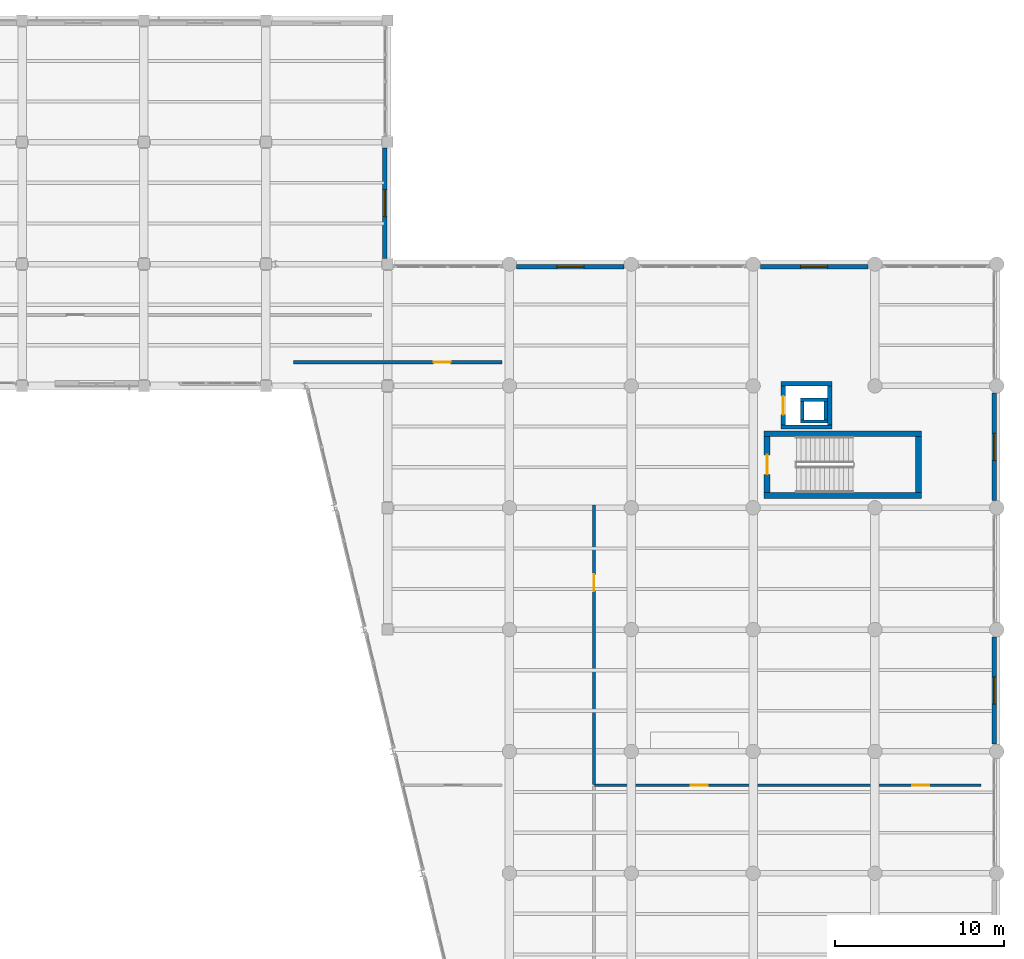
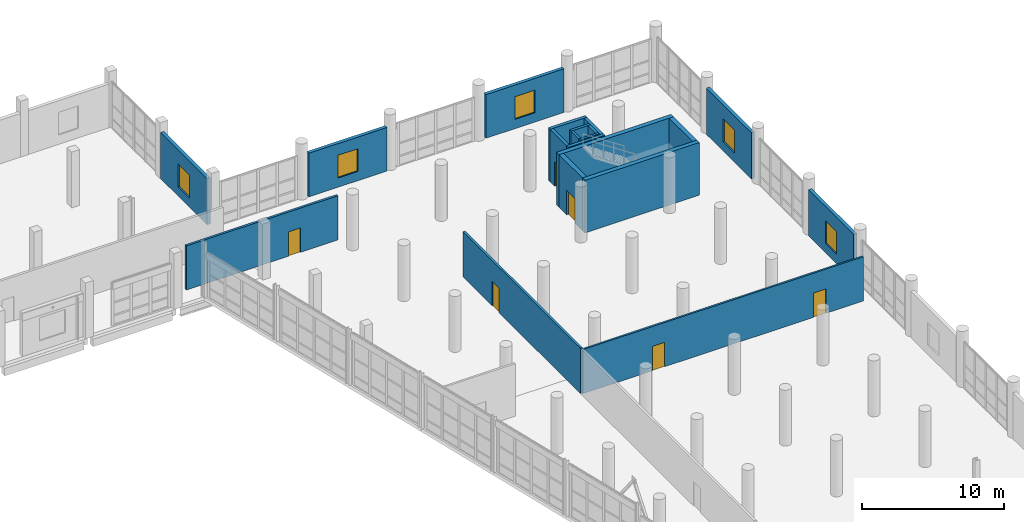
# One storey, part 101 of 127: 20 walls, 6 doors, 5 windows, 11 openings.
"""IFC4 building model written with IfcOpenShell, lengths in metres."""

from ifc_helpers import new_model, si_unit, direction, frame, frame_2d, origin, place, context, subcontext, project, spatial, rectangle, extrude, material, layer, layer_set, type_object, element, fill, save


model = new_model("IFC4")

# Units and contexts
model_context = context("Model", 3, precision=1e-05, world=origin(), true_north=direction((0.0, 1.0)))
body_context = subcontext(model_context, "Body", "Model", "MODEL_VIEW")
ifc_project = project(units=[si_unit("LENGTHUNIT", "METRE"), si_unit("AREAUNIT", "SQUARE_METRE"), si_unit("VOLUMEUNIT", "CUBIC_METRE"), si_unit("PLANEANGLEUNIT", "RADIAN"), si_unit("MASSUNIT", "GRAM", prefix="KILO")], contexts=[model_context])

# Site, building, storey
site_placement = place(None, origin())
site = spatial("IfcSite", under=ifc_project, at=site_placement, CompositionType="ELEMENT")
building_placement = place(site_placement, origin())
building = spatial("IfcBuilding", under=site, at=building_placement, Name="Kalmorath City Hall", CompositionType="ELEMENT")
storey_placement = place(building_placement, frame((0.0, 0.0, 5.39990234375)))
storey = spatial("IfcBuildingStorey", under=building, at=storey_placement, Name="L01", CompositionType="ELEMENT", Elevation=5.39990234375)

# Walls
ifc_material_1 = material(Name="Concrete C50/60", Category="concrete")
ifc_layer_1 = layer(ifc_material_1, 0.35009765625)
ifc_layer_set_1 = layer_set([ifc_layer_1], Name="Concrete C50/60")
wall_type_1 = type_object("IfcWallType", Name="Concrete core shear wall 350", PredefinedType="SHEAR", material=ifc_layer_set_1)
for number, where, z_axis, x_axis, name in (
    (1, (151.85009765625, 87.125, 0.0), (0.0, 0.0, 1.0), (1.0, 0.0, 0.0), "L01 C6 stair core shear wall S"),
    (2, (161.14990234375, 90.77490234375, 0.0), (0.0, 0.0, 1.0), (-1.0, 0.0, 0.0), "L01 C6 stair core shear wall N"),
):
    element("IfcWall", number, at=place(storey_placement, frame(where, z_axis=z_axis, x_axis=x_axis)), inside=storey, type_object=wall_type_1, Name=name, PredefinedType="SHEAR", context=body_context, shape_type="SweptSolid", body=[
        extrude(rectangle(XDim=9.2998046875, YDim=0.35009765625, at=frame_2d((4.64990234375, 0.0))), origin(), (0.0, 0.0, 1.0), 4.52001953125),
    ])

# Wall, opening, door
wall_1_placement = place(storey_placement, frame((152.02490234375, 90.60009765625, 0.0), z_axis=(0.0, 0.0, 1.0), x_axis=(0.0, -1.0, 0.0)))
wall_1 = element("IfcWall", 3, at=wall_1_placement, inside=storey, type_object=wall_type_1, Name="L01 C6 stair core shear wall W", PredefinedType="SHEAR", context=body_context, shape_type="SweptSolid", body=[
    extrude(rectangle(XDim=3.300048828125, YDim=0.35009765625, at=frame_2d((1.64990234375, 0.0))), origin(), (0.0, 0.0, 1.0), 4.52001953125),
])
opening_1_placement = place(wall_1_placement, frame((1.074951171875, 0.0, 0.0)))
opening_1 = element("IfcOpeningElement", 4, at=opening_1_placement, cuts=wall_1, Name="Opening D-L01-099", PredefinedType="OPENING", context=body_context, shape_type="SweptSolid", body=[
    extrude(rectangle(XDim=1.14990234375, YDim=2.10009765625, at=frame_2d((0.574951171875, 1.050048828125))), frame((0.0, 0.18505859375, 0.0), z_axis=(0.0, -1.0, 0.0), x_axis=(1.0, 0.0, 0.0)), (0.0, 0.0, 1.0), 0.3701171875),
])
ifc_material_2 = material(Name="Galvanised steel fire door", Category="steel")
door_type_1 = type_object("IfcDoorType", Name="Stair enclosure 90-min fire door 1150x2100", OperationType="NOTDEFINED", PredefinedType="DOOR", material=ifc_material_2)
door_1_placement = place(opening_1_placement, frame((1.14990234375, 0.0, 0.0), z_axis=(0.0, 0.0, 1.0), x_axis=(-1.0, 0.0, 0.0)))
door_1 = element("IfcDoor", 5, at=door_1_placement, inside=storey, type_object=door_type_1, Name="L01 door D-L01-099", OperationType="SINGLE_SWING_LEFT", OverallHeight=2.10009765625, OverallWidth=1.14990234375, PredefinedType="DOOR", context=body_context, shape_type="SweptSolid", body=[
    extrude(rectangle(XDim=1.14990234375, YDim=2.10009765625, at=frame_2d((0.574951171875, 1.050048828125))), frame((0.0, 0.02490234375, 0.0), z_axis=(0.0, -1.0, 0.0), x_axis=(1.0, 0.0, 0.0)), (0.0, 0.0, 1.0), 0.050048828125),
])
fill(opening_1, door_1)

# Walls
wall_2_placement = place(storey_placement, frame((160.97509765625, 87.300048828125, 0.0), z_axis=(0.0, 0.0, 1.0), x_axis=(0.0, 1.0, 0.0)))
element("IfcWall", 6, at=wall_2_placement, inside=storey, type_object=wall_type_1, Name="L01 C6 stair core shear wall E", PredefinedType="SHEAR", context=body_context, shape_type="SweptSolid", body=[
    extrude(rectangle(XDim=3.300048828125, YDim=0.35009765625, at=frame_2d((1.64990234375, 0.0))), origin(), (0.0, 0.0, 1.0), 4.52001953125),
])
ifc_material_3 = material(Name="Concrete C50/60", Category="concrete")
ifc_layer_2 = layer(ifc_material_3, 0.25)
ifc_layer_set_2 = layer_set([ifc_layer_2], Name="Concrete C50/60")
wall_type_2 = type_object("IfcWallType", Name="Concrete lift shaft wall 250", PredefinedType="SHEAR", material=ifc_layer_set_2)
for number, where, z_axis, x_axis, name in (
    (7, (152.85009765625, 91.175048828125, 0.0), (0.0, 0.0, 1.0), (1.0, 0.0, 0.0), "L01 PL6 lift shaft wall -y"),
    (8, (155.85009765625, 93.72509765625, 0.0), (0.0, 0.0, 1.0), (-1.0, 0.0, 0.0), "L01 PL6 lift shaft wall +y"),
):
    element("IfcWall", number, at=place(storey_placement, frame(where, z_axis=z_axis, x_axis=x_axis)), inside=storey, type_object=wall_type_2, Name=name, PredefinedType="SHEAR", context=body_context, shape_type="SweptSolid", body=[
        extrude(rectangle(XDim=3.0, YDim=0.25, at=frame_2d((1.5, 0.0))), origin(), (0.0, 0.0, 1.0), 4.52001953125),
    ])

# Wall, opening, door
wall_3_placement = place(storey_placement, frame((152.97509765625, 93.60009765625, 0.0), z_axis=(0.0, 0.0, 1.0), x_axis=(0.0, -1.0, 0.0)))
wall_3 = element("IfcWall", 9, at=wall_3_placement, inside=storey, type_object=wall_type_2, Name="L01 PL6 lift shaft wall -x", PredefinedType="SHEAR", context=body_context, shape_type="SweptSolid", body=[
    extrude(rectangle(XDim=2.300048828125, YDim=0.25, at=frame_2d((1.14990234375, 0.0))), origin(), (0.0, 0.0, 1.0), 4.52001953125),
])
opening_2_placement = place(wall_3_placement, frame((0.60009765625, 0.0, 0.0)))
opening_2 = element("IfcOpeningElement", 10, at=opening_2_placement, cuts=wall_3, Name="Opening LD-102", PredefinedType="OPENING", context=body_context, shape_type="SweptSolid", body=[
    extrude(rectangle(XDim=1.10009765625, YDim=2.10009765625, at=frame_2d((0.550048828125, 1.050048828125))), frame((0.0, 0.135009765625, 0.0), z_axis=(0.0, -1.0, 0.0), x_axis=(1.0, 0.0, 0.0)), (0.0, 0.0, 1.0), 0.27001953125),
])
ifc_material_4 = material(Name="Stainless steel sliding landing door", Category="steel")
door_type_2 = type_object("IfcDoorType", Name="Passenger lift sliding landing door 1100x2100", OperationType="SLIDING_TO_LEFT", PredefinedType="DOOR", material=ifc_material_4)
door_2_placement = place(opening_2_placement, origin())
door_2 = element("IfcDoor", 11, at=door_2_placement, inside=storey, type_object=door_type_2, Name="L01 door LD-102", OperationType="SLIDING_TO_LEFT", OverallHeight=2.10009765625, OverallWidth=1.10009765625, PredefinedType="DOOR", context=body_context, shape_type="SweptSolid", body=[
    extrude(rectangle(XDim=1.10009765625, YDim=2.10009765625, at=frame_2d((0.550048828125, 1.050048828125))), frame((0.0, 0.02490234375, 0.0), z_axis=(0.0, -1.0, 0.0), x_axis=(1.0, 0.0, 0.0)), (0.0, 0.0, 1.0), 0.050048828125),
])
fill(opening_2, door_2)

# Walls
wall_4_placement = place(storey_placement, frame((155.72509765625, 91.300048828125, 0.0), z_axis=(0.0, 0.0, 1.0), x_axis=(0.0, 1.0, 0.0)))
element("IfcWall", 12, at=wall_4_placement, inside=storey, type_object=wall_type_2, Name="L01 PL6 lift shaft wall +x", PredefinedType="SHEAR", context=body_context, shape_type="SweptSolid", body=[
    extrude(rectangle(XDim=2.300048828125, YDim=0.25, at=frame_2d((1.14990234375, 0.0))), origin(), (0.0, 0.0, 1.0), 4.52001953125),
])
ifc_material_5 = material(Name="Concrete C40/50", Category="concrete")
ifc_layer_3 = layer(ifc_material_5, 0.199951171875)
ifc_layer_set_3 = layer_set([ifc_layer_3], Name="Concrete C40/50")
wall_type_3 = type_object("IfcWallType", Name="Concrete service riser wall 200", PredefinedType="SOLIDWALL", material=ifc_layer_set_3)
for number, where, z_axis, x_axis, name in (
    (13, (154.0, 91.5, 0.0), (0.0, 0.0, 1.0), (1.0, 0.0, 0.0), "L01 RSR-5 riser shaft wall S"),
    (14, (155.60009765625, 92.780029296875, 0.0), (0.0, 0.0, 1.0), (-1.0, 0.0, 0.0), "L01 RSR-5 riser shaft wall N"),
):
    element("IfcWall", number, at=place(storey_placement, frame(where, z_axis=z_axis, x_axis=x_axis)), inside=storey, type_object=wall_type_3, Name=name, PredefinedType="SOLIDWALL", context=body_context, shape_type="SweptSolid", body=[
        extrude(rectangle(XDim=1.60009765625, YDim=0.199951171875, at=frame_2d((0.800048828125, 0.0))), origin(), (0.0, 0.0, 1.0), 4.52001953125),
    ])
for number, where, z_axis, x_axis, name in (
    (15, (154.10009765625, 92.679931640625, 0.0), (0.0, 0.0, 1.0), (0.0, -1.0, 0.0), "L01 RSR-5 riser shaft wall W"),
    (16, (155.5, 91.60009765625, 0.0), (0.0, 0.0, 1.0), (0.0, 1.0, 0.0), "L01 RSR-5 riser shaft wall E"),
):
    element("IfcWall", number, at=place(storey_placement, frame(where, z_axis=z_axis, x_axis=x_axis)), inside=storey, type_object=wall_type_3, Name=name, PredefinedType="SOLIDWALL", context=body_context, shape_type="SweptSolid", body=[
        extrude(rectangle(XDim=1.079833984375, YDim=0.199951171875, at=frame_2d((0.5400390625, 0.0))), origin(), (0.0, 0.0, 1.0), 4.52001953125),
    ])

# Wall, openings, doors
ifc_material_6 = material(Name="Acoustic metal-stud gypsum partition")
ifc_layer_4 = layer(ifc_material_6, 0.14990234375)
ifc_layer_set_4 = layer_set([ifc_layer_4], Name="Acoustic metal-stud gypsum partition")
wall_type_4 = type_object("IfcWallType", Name="Departmental suite partition 150", PredefinedType="PARTITIONING", material=ifc_layer_set_4)
wall_5_placement = place(storey_placement, frame((141.840087890625, 70.0, 0.0), z_axis=(0.0, 0.0, 1.0), x_axis=(1.0, 0.0, 0.0)))
wall_5 = element("IfcWall", 17, at=wall_5_placement, inside=storey, type_object=wall_type_4, Name="L01 interior partition PW4 #100", PredefinedType="PARTITIONING", context=body_context, shape_type="SweptSolid", body=[
    extrude(rectangle(XDim=22.81982421875, YDim=0.14990234375, at=frame_2d((11.409912109375, 0.0))), origin(), (0.0, 0.0, 1.0), 3.801025390625),
])
opening_3_placement = place(wall_5_placement, frame((5.6650390625, 0.0, 0.0)))
opening_3 = element("IfcOpeningElement", 18, at=opening_3_placement, cuts=wall_5, Name="Opening D-L01-189", PredefinedType="OPENING", context=body_context, shape_type="SweptSolid", body=[
    extrude(rectangle(XDim=1.0, YDim=2.10009765625, at=frame_2d((0.5, 1.050048828125))), frame((0.0, 0.0849609375, 0.0), z_axis=(0.0, -1.0, 0.0), x_axis=(1.0, 0.0, 0.0)), (0.0, 0.0, 1.0), 0.169921875),
])
opening_4_placement = place(wall_5_placement, frame((18.777587890625, 0.0, 0.0)))
opening_4 = element("IfcOpeningElement", 19, at=opening_4_placement, cuts=wall_5, Name="Opening D-L01-193", PredefinedType="OPENING", context=body_context, shape_type="SweptSolid", body=[
    extrude(rectangle(XDim=1.0, YDim=2.10009765625, at=frame_2d((0.5, 1.050048828125))), frame((0.0, 0.0849609375, 0.0), z_axis=(0.0, -1.0, 0.0), x_axis=(1.0, 0.0, 0.0)), (0.0, 0.0, 1.0), 0.169921875),
])
ifc_material_7 = material(Name="Hardwood fire door", Category="wood")
door_type_3 = type_object("IfcDoorType", Name="Corridor 60-min fire door 1000x2100", OperationType="NOTDEFINED", PredefinedType="DOOR", material=ifc_material_7)
door_3_placement = place(opening_3_placement, origin())
door_3 = element("IfcDoor", 20, at=door_3_placement, inside=storey, type_object=door_type_3, Name="L01 door D-L01-189", OperationType="SINGLE_SWING_LEFT", OverallHeight=2.10009765625, OverallWidth=1.0, PredefinedType="DOOR", context=body_context, shape_type="SweptSolid", body=[
    extrude(rectangle(XDim=1.0, YDim=2.10009765625, at=frame_2d((0.5, 1.050048828125))), frame((0.0, 0.02490234375, 0.0), z_axis=(0.0, -1.0, 0.0), x_axis=(1.0, 0.0, 0.0)), (0.0, 0.0, 1.0), 0.050048828125),
])
fill(opening_3, door_3)
door_4_placement = place(opening_4_placement, origin())
door_4 = element("IfcDoor", 21, at=door_4_placement, inside=storey, type_object=door_type_3, Name="L01 door D-L01-193", OperationType="SINGLE_SWING_LEFT", OverallHeight=2.10009765625, OverallWidth=1.0, PredefinedType="DOOR", context=body_context, shape_type="SweptSolid", body=[
    extrude(rectangle(XDim=1.0, YDim=2.10009765625, at=frame_2d((0.5, 1.050048828125))), frame((0.0, 0.02490234375, 0.0), z_axis=(0.0, -1.0, 0.0), x_axis=(1.0, 0.0, 0.0)), (0.0, 0.0, 1.0), 0.050048828125),
])
fill(opening_4, door_4)

# Wall, opening, window
ifc_material_8 = material(Name="Precast concrete C40/50", Category="concrete")
ifc_layer_5 = layer(ifc_material_8, 0.27001953125)
ifc_layer_set_5 = layer_set([ifc_layer_5], Name="Precast concrete C40/50")
wall_type_5 = type_object("IfcWallType", Name="Library splayed facade wall 270", PredefinedType="SOLIDWALL", material=ifc_layer_set_5)
wall_6_placement = place(storey_placement, frame((129.43994140625, 107.674072265625, 0.0), z_axis=(0.0, 0.0, 1.0), x_axis=(0.0, -1.0, 0.0)))
wall_6 = element("IfcWall", 22, at=wall_6_placement, inside=storey, type_object=wall_type_5, Name="L01 library wall #263", PredefinedType="SOLIDWALL", context=body_context, shape_type="SweptSolid", body=[
    extrude(rectangle(XDim=6.548095703125, YDim=0.27001953125, at=frame_2d((3.27392578125, 0.0))), origin(), (0.0, 0.0, 1.0), 3.97607421875),
])
opening_5_placement = place(wall_6_placement, frame((2.47412109375, 0.0, 0.800048828125)))
opening_5 = element("IfcOpeningElement", 23, at=opening_5_placement, cuts=wall_6, Name="Opening WN15", PredefinedType="OPENING", context=body_context, shape_type="SweptSolid", body=[
    extrude(rectangle(XDim=1.60009765625, YDim=1.949951171875, at=frame_2d((0.800048828125, 0.97509765625))), frame((0.0, 0.14501953125, 0.0), z_axis=(0.0, -1.0, 0.0), x_axis=(1.0, 0.0, 0.0)), (0.0, 0.0, 1.0), 0.2900390625),
])
ifc_material_9 = material(Name="Bronze-anodised aluminium and glass", Category="aluminium")
window_type = type_object("IfcWindowType", Name="Library stacks window 1600x1950", PartitioningType="SINGLE_PANEL", PredefinedType="WINDOW", material=ifc_material_9)
window_1_placement = place(opening_5_placement, origin())
window_1 = element("IfcWindow", 24, at=window_1_placement, inside=storey, type_object=window_type, Name="L01 window WN15-130", OverallHeight=1.949951171875, OverallWidth=1.60009765625, PartitioningType="SINGLE_PANEL", PredefinedType="WINDOW", context=body_context, shape_type="SweptSolid", body=[
    extrude(rectangle(XDim=1.60009765625, YDim=1.949951171875, at=frame_2d((0.800048828125, 0.97509765625))), frame((0.0, 0.030029296875, 0.0), z_axis=(0.0, -1.0, 0.0), x_axis=(1.0, 0.0, 0.0)), (0.0, 0.0, 1.0), 0.06005859375),
])
fill(opening_5, window_1)

wall_7_placement = place(storey_placement, frame((137.22607421875, 100.639892578125, 0.0), z_axis=(0.0, 0.0, 1.0), x_axis=(1.0, 0.0, 0.0)))
wall_7 = element("IfcWall", 25, at=wall_7_placement, inside=storey, type_object=wall_type_5, Name="L01 library wall #264", PredefinedType="SOLIDWALL", context=body_context, shape_type="SweptSolid", body=[
    extrude(rectangle(XDim=6.347900390625, YDim=0.27001953125, at=frame_2d((3.173828125, 0.0))), origin(), (0.0, 0.0, 1.0), 3.7509765625),
])
opening_6_placement = place(wall_7_placement, frame((2.3740234375, 0.0, 0.800048828125)))
opening_6 = element("IfcOpeningElement", 26, at=opening_6_placement, cuts=wall_7, Name="Opening WN15", PredefinedType="OPENING", context=body_context, shape_type="SweptSolid", body=[
    extrude(rectangle(XDim=1.60009765625, YDim=1.949951171875, at=frame_2d((0.800048828125, 0.97509765625))), frame((0.0, 0.14501953125, 0.0), z_axis=(0.0, -1.0, 0.0), x_axis=(1.0, 0.0, 0.0)), (0.0, 0.0, 1.0), 0.2900390625),
])
window_2_placement = place(opening_6_placement, origin())
window_2 = element("IfcWindow", 27, at=window_2_placement, inside=storey, type_object=window_type, Name="L01 window WN15-131", OverallHeight=1.949951171875, OverallWidth=1.60009765625, PartitioningType="SINGLE_PANEL", PredefinedType="WINDOW", context=body_context, shape_type="SweptSolid", body=[
    extrude(rectangle(XDim=1.60009765625, YDim=1.949951171875, at=frame_2d((0.800048828125, 0.97509765625))), frame((0.0, 0.030029296875, 0.0), z_axis=(0.0, -1.0, 0.0), x_axis=(1.0, 0.0, 0.0)), (0.0, 0.0, 1.0), 0.06005859375),
])
fill(opening_6, window_2)

wall_8_placement = place(storey_placement, frame((151.6259765625, 100.639892578125, 0.0), z_axis=(0.0, 0.0, 1.0), x_axis=(1.0, 0.0, 0.0)))
wall_8 = element("IfcWall", 28, at=wall_8_placement, inside=storey, type_object=wall_type_5, Name="L01 library wall #265", PredefinedType="SOLIDWALL", context=body_context, shape_type="SweptSolid", body=[
    extrude(rectangle(XDim=6.34814453125, YDim=0.27001953125, at=frame_2d((3.174072265625, 0.0))), origin(), (0.0, 0.0, 1.0), 3.7509765625),
])
opening_7_placement = place(wall_8_placement, frame((2.3740234375, 0.0, 0.800048828125)))
opening_7 = element("IfcOpeningElement", 29, at=opening_7_placement, cuts=wall_8, Name="Opening WN15", PredefinedType="OPENING", context=body_context, shape_type="SweptSolid", body=[
    extrude(rectangle(XDim=1.60009765625, YDim=1.949951171875, at=frame_2d((0.800048828125, 0.97509765625))), frame((0.0, 0.14501953125, 0.0), z_axis=(0.0, -1.0, 0.0), x_axis=(1.0, 0.0, 0.0)), (0.0, 0.0, 1.0), 0.2900390625),
])
window_3_placement = place(opening_7_placement, origin())
window_3 = element("IfcWindow", 30, at=window_3_placement, inside=storey, type_object=window_type, Name="L01 window WN15-132", OverallHeight=1.949951171875, OverallWidth=1.60009765625, PartitioningType="SINGLE_PANEL", PredefinedType="WINDOW", context=body_context, shape_type="SweptSolid", body=[
    extrude(rectangle(XDim=1.60009765625, YDim=1.949951171875, at=frame_2d((0.800048828125, 0.97509765625))), frame((0.0, 0.030029296875, 0.0), z_axis=(0.0, -1.0, 0.0), x_axis=(1.0, 0.0, 0.0)), (0.0, 0.0, 1.0), 0.06005859375),
])
fill(opening_7, window_3)

wall_9_placement = place(storey_placement, frame((165.43994140625, 93.174072265625, 0.0), z_axis=(0.0, 0.0, 1.0), x_axis=(0.0, -1.0, 0.0)))
wall_9 = element("IfcWall", 31, at=wall_9_placement, inside=storey, type_object=wall_type_5, Name="L01 library wall #266", PredefinedType="SOLIDWALL", context=body_context, shape_type="SweptSolid", body=[
    extrude(rectangle(XDim=6.34814453125, YDim=0.27001953125, at=frame_2d((3.174072265625, 0.0))), origin(), (0.0, 0.0, 1.0), 3.97607421875),
])
opening_8_placement = place(wall_9_placement, frame((2.3740234375, 0.0, 0.800048828125)))
opening_8 = element("IfcOpeningElement", 32, at=opening_8_placement, cuts=wall_9, Name="Opening WN15", PredefinedType="OPENING", context=body_context, shape_type="SweptSolid", body=[
    extrude(rectangle(XDim=1.60009765625, YDim=1.949951171875, at=frame_2d((0.800048828125, 0.97509765625))), frame((0.0, 0.14501953125, 0.0), z_axis=(0.0, -1.0, 0.0), x_axis=(1.0, 0.0, 0.0)), (0.0, 0.0, 1.0), 0.2900390625),
])
window_4_placement = place(opening_8_placement, origin())
window_4 = element("IfcWindow", 33, at=window_4_placement, inside=storey, type_object=window_type, Name="L01 window WN15-133", OverallHeight=1.949951171875, OverallWidth=1.60009765625, PartitioningType="SINGLE_PANEL", PredefinedType="WINDOW", context=body_context, shape_type="SweptSolid", body=[
    extrude(rectangle(XDim=1.60009765625, YDim=1.949951171875, at=frame_2d((0.800048828125, 0.97509765625))), frame((0.0, 0.030029296875, 0.0), z_axis=(0.0, -1.0, 0.0), x_axis=(1.0, 0.0, 0.0)), (0.0, 0.0, 1.0), 0.06005859375),
])
fill(opening_8, window_4)

wall_10_placement = place(storey_placement, frame((165.43994140625, 78.77392578125, 0.0), z_axis=(0.0, 0.0, 1.0), x_axis=(0.0, -1.0, 0.0)))
wall_10 = element("IfcWall", 34, at=wall_10_placement, inside=storey, type_object=wall_type_5, Name="L01 library wall #267", PredefinedType="SOLIDWALL", context=body_context, shape_type="SweptSolid", body=[
    extrude(rectangle(XDim=6.347900390625, YDim=0.27001953125, at=frame_2d((3.173828125, 0.0))), origin(), (0.0, 0.0, 1.0), 3.97607421875),
])
opening_9_placement = place(wall_10_placement, frame((2.3740234375, 0.0, 0.800048828125)))
opening_9 = element("IfcOpeningElement", 35, at=opening_9_placement, cuts=wall_10, Name="Opening WN15", PredefinedType="OPENING", context=body_context, shape_type="SweptSolid", body=[
    extrude(rectangle(XDim=1.60009765625, YDim=1.949951171875, at=frame_2d((0.800048828125, 0.97509765625))), frame((0.0, 0.14501953125, 0.0), z_axis=(0.0, -1.0, 0.0), x_axis=(1.0, 0.0, 0.0)), (0.0, 0.0, 1.0), 0.2900390625),
])
window_5_placement = place(opening_9_placement, origin())
window_5 = element("IfcWindow", 36, at=window_5_placement, inside=storey, type_object=window_type, Name="L01 window WN15-134", OverallHeight=1.949951171875, OverallWidth=1.60009765625, PartitioningType="SINGLE_PANEL", PredefinedType="WINDOW", context=body_context, shape_type="SweptSolid", body=[
    extrude(rectangle(XDim=1.60009765625, YDim=1.949951171875, at=frame_2d((0.800048828125, 0.97509765625))), frame((0.0, 0.030029296875, 0.0), z_axis=(0.0, -1.0, 0.0), x_axis=(1.0, 0.0, 0.0)), (0.0, 0.0, 1.0), 0.06005859375),
])
fill(opening_9, window_5)

# Wall, opening, door
ifc_material_10 = material(Name="Fire-rated acoustic gypsum partition")
ifc_layer_6 = layer(ifc_material_10, 0.179931640625)
ifc_layer_set_6 = layer_set([ifc_layer_6], Name="Fire-rated acoustic gypsum partition")
wall_type_6 = type_object("IfcWallType", Name="One-hour corridor fire partition 180", PredefinedType="PARTITIONING", material=ifc_layer_set_6)
wall_11_placement = place(storey_placement, frame((124.0400390625, 95.0, 0.0), z_axis=(0.0, 0.0, 1.0), x_axis=(1.0, 0.0, 0.0)))
wall_11 = element("IfcWall", 37, at=wall_11_placement, inside=storey, type_object=wall_type_6, Name="L01 interior partition PW2 #89", PredefinedType="PARTITIONING", context=body_context, shape_type="SweptSolid", body=[
    extrude(rectangle(XDim=12.320068359375, YDim=0.179931640625, at=frame_2d((6.16015625, 0.0))), origin(), (0.0, 0.0, 1.0), 3.801025390625),
])
opening_10_placement = place(wall_11_placement, frame((8.280029296875, 0.0, 0.0)))
opening_10 = element("IfcOpeningElement", 38, at=opening_10_placement, cuts=wall_11, Name="Opening D-L01-191", PredefinedType="OPENING", context=body_context, shape_type="SweptSolid", body=[
    extrude(rectangle(XDim=1.0, YDim=2.10009765625, at=frame_2d((0.5, 1.050048828125))), frame((0.0, 0.099853515625, 0.0), z_axis=(0.0, -1.0, 0.0), x_axis=(1.0, 0.0, 0.0)), (0.0, 0.0, 1.0), 0.199951171875),
])
door_5_placement = place(opening_10_placement, origin())
door_5 = element("IfcDoor", 39, at=door_5_placement, inside=storey, type_object=door_type_3, Name="L01 door D-L01-191", OperationType="SINGLE_SWING_LEFT", OverallHeight=2.10009765625, OverallWidth=1.0, PredefinedType="DOOR", context=body_context, shape_type="SweptSolid", body=[
    extrude(rectangle(XDim=1.0, YDim=2.10009765625, at=frame_2d((0.5, 1.050048828125))), frame((0.0, 0.02490234375, 0.0), z_axis=(0.0, -1.0, 0.0), x_axis=(1.0, 0.0, 0.0)), (0.0, 0.0, 1.0), 0.050048828125),
])
fill(opening_10, door_5)

wall_12_placement = place(storey_placement, frame((141.800048828125, 70.0400390625, 0.0), z_axis=(0.0, 0.0, 1.0), x_axis=(0.0, 1.0, 0.0)))
wall_12 = element("IfcWall", 40, at=wall_12_placement, inside=storey, type_object=wall_type_6, Name="L01 interior partition PW2 #91", PredefinedType="PARTITIONING", context=body_context, shape_type="SweptSolid", body=[
    extrude(rectangle(XDim=16.52001953125, YDim=0.179931640625, at=frame_2d((8.260009765625, 0.0))), origin(), (0.0, 0.0, 1.0), 3.88916015625),
])
opening_11_placement = place(wall_12_placement, frame((11.429931640625, 0.0, 0.0)))
opening_11 = element("IfcOpeningElement", 41, at=opening_11_placement, cuts=wall_12, Name="Opening D-L01-192", PredefinedType="OPENING", context=body_context, shape_type="SweptSolid", body=[
    extrude(rectangle(XDim=1.0, YDim=2.10009765625, at=frame_2d((0.5, 1.050048828125))), frame((0.0, 0.099853515625, 0.0), z_axis=(0.0, -1.0, 0.0), x_axis=(1.0, 0.0, 0.0)), (0.0, 0.0, 1.0), 0.199951171875),
])
door_6_placement = place(opening_11_placement, origin())
door_6 = element("IfcDoor", 42, at=door_6_placement, inside=storey, type_object=door_type_3, Name="L01 door D-L01-192", OperationType="SINGLE_SWING_RIGHT", OverallHeight=2.10009765625, OverallWidth=1.0, PredefinedType="DOOR", context=body_context, shape_type="SweptSolid", body=[
    extrude(rectangle(XDim=1.0, YDim=2.10009765625, at=frame_2d((0.5, 1.050048828125))), frame((0.0, 0.02490234375, 0.0), z_axis=(0.0, -1.0, 0.0), x_axis=(1.0, 0.0, 0.0)), (0.0, 0.0, 1.0), 0.050048828125),
])
fill(opening_11, door_6)

save(model, "model.ifc")
